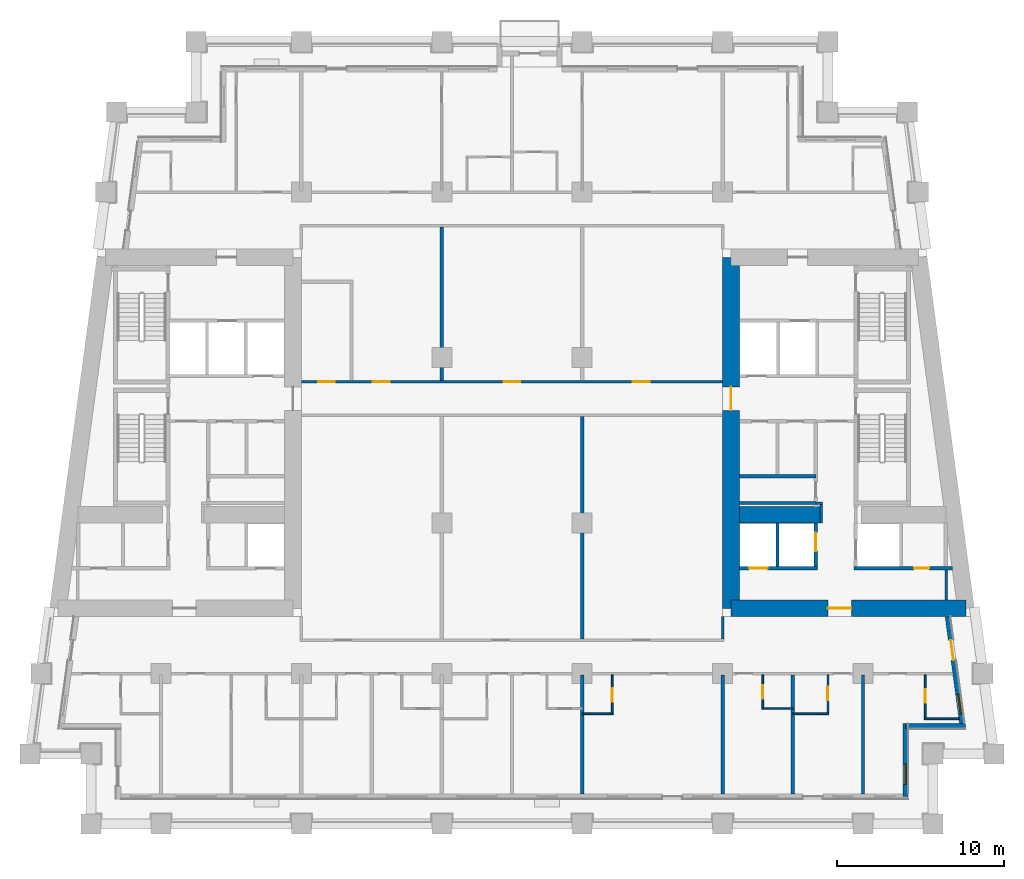
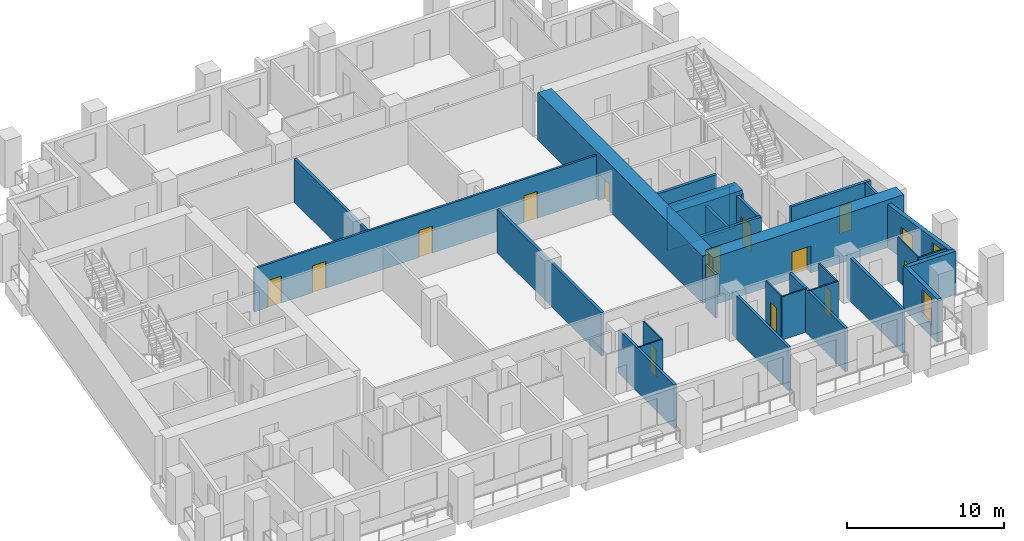
# One storey, part 5 of 13: 31 walls, 14 doors, 2 windows, 16 openings.
"""IFC4 building model written with IfcOpenShell, lengths in metres."""

from ifc_helpers import new_model, si_unit, direction, frame, frame_2d, origin, place, context, subcontext, project, spatial, rectangle, extrude, material, layer, layer_set, type_object, element, fill, save


model = new_model("IFC4")

# Units and contexts
model_context = context("Model", 3, precision=1e-05, world=origin(), true_north=direction((0.0, 1.0)))
body_context = subcontext(model_context, "Body", "Model", "MODEL_VIEW")
ifc_project = project(units=[si_unit("LENGTHUNIT", "METRE"), si_unit("AREAUNIT", "SQUARE_METRE"), si_unit("VOLUMEUNIT", "CUBIC_METRE"), si_unit("PLANEANGLEUNIT", "RADIAN"), si_unit("MASSUNIT", "GRAM", prefix="KILO")], contexts=[model_context])

# Site, building, storey
site_placement = place(None, origin())
site = spatial("IfcSite", under=ifc_project, at=site_placement, CompositionType="ELEMENT")
building_placement = place(site_placement, origin())
building = spatial("IfcBuilding", under=site, at=building_placement, Name="Candeia Pilgrim Tower and Theatre", CompositionType="ELEMENT")
storey_placement = place(building_placement, frame((0.0, 0.0, 94.699951171875)))
storey = spatial("IfcBuildingStorey", under=building, at=storey_placement, Name="L21", CompositionType="ELEMENT", Elevation=94.699951171875)

# Wall, opening, door
ifc_material_1 = material(Name="Concrete C70/85", Category="concrete")
ifc_layer_1 = layer(ifc_material_1, 1.0)
ifc_layer_set_1 = layer_set([ifc_layer_1], Name="Core wall 1000 C70/85")
wall_type_1 = type_object("IfcWallType", Name="Core wall 1000 C70/85", PredefinedType="SHEAR", material=ifc_layer_set_1)
wall_1_placement = place(storey_placement, frame((140.558837890625, 110.89990234375, 0.0), z_axis=(0.0, 0.0, 1.0), x_axis=(-1.0, 0.0, 0.0)))
wall_1 = element("IfcWall", 1, at=wall_1_placement, inside=storey, type_object=wall_type_1, Name="Core wall E3", PredefinedType="SHEAR", context=body_context, shape_type="SweptSolid", body=[
    extrude(rectangle(XDim=14.058837890625, YDim=1.0, at=frame_2d((7.029296875, 0.0))), origin(), (0.0, 0.0, 1.0), 3.699951171875),
])
opening_1_placement = place(wall_1_placement, frame((6.857666015625, 0.0, 0.0)))
opening_1 = element("IfcOpeningElement", 2, at=opening_1_placement, cuts=wall_1, Name="Opening L21-D060", PredefinedType="OPENING", context=body_context, shape_type="SweptSolid", body=[
    extrude(rectangle(XDim=1.39990234375, YDim=2.10009765625, at=frame_2d((0.699951171875, 1.050048828125))), frame((0.0, 0.510009765625, 0.0), z_axis=(0.0, -1.0, 0.0), x_axis=(1.0, 0.0, 0.0)), (0.0, 0.0, 1.0), 1.02001953125),
])
ifc_material_2 = material(Name="Steel fire door set", Category="steel")
door_type_1 = type_object("IfcDoorType", Name="D-1400-FD60", OperationType="NOTDEFINED", PredefinedType="DOOR", material=ifc_material_2)
door_1_placement = place(opening_1_placement, origin())
door_1 = element("IfcDoor", 3, at=door_1_placement, inside=storey, type_object=door_type_1, Name="Door L21-D060", OperationType="SINGLE_SWING_LEFT", OverallHeight=2.10009765625, OverallWidth=1.39990234375, PredefinedType="DOOR", context=body_context, shape_type="SweptSolid", body=[
    extrude(rectangle(XDim=1.39990234375, YDim=2.10009765625, at=frame_2d((0.699951171875, 1.050048828125))), frame((0.0, 0.02490234375, 0.0), z_axis=(0.0, -1.0, 0.0), x_axis=(1.0, 0.0, 0.0)), (0.0, 0.0, 1.0), 0.050048828125),
])
fill(opening_1, door_1)

wall_2_placement = place(storey_placement, frame((126.5, 110.89990234375, 0.0), z_axis=(0.0, 0.0, 1.0), x_axis=(0.0, 1.0, 0.0)))
wall_2 = element("IfcWall", 4, at=wall_2_placement, inside=storey, type_object=wall_type_1, Name="Core wall E4", PredefinedType="SHEAR", context=body_context, shape_type="SweptSolid", body=[
    extrude(rectangle(XDim=21.0, YDim=1.0, at=frame_2d((10.5, 0.0))), origin(), (0.0, 0.0, 1.0), 3.699951171875),
])
opening_2_placement = place(wall_2_placement, frame((11.85009765625, 0.0, 0.0)))
opening_2 = element("IfcOpeningElement", 5, at=opening_2_placement, cuts=wall_2, Name="Opening L21-D062", PredefinedType="OPENING", context=body_context, shape_type="SweptSolid", body=[
    extrude(rectangle(XDim=1.39990234375, YDim=2.10009765625, at=frame_2d((0.699951171875, 1.050048828125))), frame((0.0, 0.510009765625, 0.0), z_axis=(0.0, -1.0, 0.0), x_axis=(1.0, 0.0, 0.0)), (0.0, 0.0, 1.0), 1.02001953125),
])
door_2_placement = place(opening_2_placement, origin())
door_2 = element("IfcDoor", 6, at=door_2_placement, inside=storey, type_object=door_type_1, Name="Door L21-D062", OperationType="SINGLE_SWING_LEFT", OverallHeight=2.10009765625, OverallWidth=1.39990234375, PredefinedType="DOOR", context=body_context, shape_type="SweptSolid", body=[
    extrude(rectangle(XDim=1.39990234375, YDim=2.10009765625, at=frame_2d((0.699951171875, 1.050048828125))), frame((0.0, 0.02490234375, 0.0), z_axis=(0.0, -1.0, 0.0), x_axis=(1.0, 0.0, 0.0)), (0.0, 0.0, 1.0), 0.050048828125),
])
fill(opening_2, door_2)

# Wall
wall_3_placement = place(storey_placement, frame((127.0, 116.5, 0.0), z_axis=(0.0, 0.0, 1.0), x_axis=(1.0, 0.0, 0.0)))
element("IfcWall", 7, at=wall_3_placement, inside=storey, type_object=wall_type_1, Name="Core wall E5", PredefinedType="SHEAR", context=body_context, shape_type="SweptSolid", body=[
    extrude(rectangle(XDim=4.89990234375, YDim=1.0, at=frame_2d((2.449951171875, 0.0))), origin(), (0.0, 0.0, 1.0), 3.699951171875),
])

# Wall, opening, window
ifc_material_3 = material(Name="Ceramic block masonry", Category="masonry")
ifc_layer_2 = layer(ifc_material_3, 0.300048828125)
ifc_layer_set_2 = layer_set([ifc_layer_2], Name="EW1 glazing-line wall 300")
wall_type_2 = type_object("IfcWallType", Name="EW1 glazing-line wall 300", PredefinedType="SOLIDWALL", material=ifc_layer_set_2)
wall_4_placement = place(storey_placement, frame((136.949951171875, 99.64990234375, 0.0), z_axis=(0.0, 0.0, 1.0), x_axis=(0.0, 1.0, 0.0)))
wall_4 = element("IfcWall", 8, at=wall_4_placement, inside=storey, type_object=wall_type_2, Name="External wall L21-1.0", PredefinedType="SOLIDWALL", context=body_context, shape_type="SweptSolid", body=[
    extrude(rectangle(XDim=4.35009765625, YDim=0.300048828125, at=frame_2d((2.175048828125, 0.0))), origin(), (0.0, 0.0, 1.0), 3.380126953125),
])
opening_3_placement = place(wall_4_placement, frame((0.72509765625, 0.0, 0.89990234375)))
opening_3 = element("IfcOpeningElement", 9, at=opening_3_placement, cuts=wall_4, Name="Opening W-B", PredefinedType="OPENING", context=body_context, shape_type="SweptSolid", body=[
    extrude(rectangle(XDim=1.199951171875, YDim=2.10009765625, at=frame_2d((0.60009765625, 1.050048828125))), frame((0.0, 0.16015625, 0.0), z_axis=(0.0, -1.0, 0.0), x_axis=(1.0, 0.0, 0.0)), (0.0, 0.0, 1.0), 0.320068359375),
])
ifc_material_4 = material(Name="Aluminium framed double glazing", Category="aluminium")
window_type = type_object("IfcWindowType", Name="W-B window 1200x2100", PartitioningType="SINGLE_PANEL", PredefinedType="WINDOW", material=ifc_material_4)
window_1_placement = place(opening_3_placement, origin())
window_1 = element("IfcWindow", 10, at=window_1_placement, inside=storey, type_object=window_type, Name="Window W-B L21", OverallHeight=2.10009765625, OverallWidth=1.199951171875, PartitioningType="SINGLE_PANEL", PredefinedType="WINDOW", context=body_context, shape_type="SweptSolid", body=[
    extrude(rectangle(XDim=1.199951171875, YDim=2.10009765625, at=frame_2d((0.60009765625, 1.050048828125))), frame((0.0, 0.030029296875, 0.0), z_axis=(0.0, -1.0, 0.0), x_axis=(1.0, 0.0, 0.0)), (0.0, 0.0, 1.0), 0.06005859375),
])
fill(opening_3, window_1)

# Wall
wall_5_placement = place(storey_placement, frame((136.949951171875, 103.85009765625, 0.0), z_axis=(0.0, 0.0, 1.0), x_axis=(1.0, 0.0, 0.0)))
element("IfcWall", 11, at=wall_5_placement, inside=storey, type_object=wall_type_2, Name="External wall L21-2.0", PredefinedType="SOLIDWALL", context=body_context, shape_type="SweptSolid", body=[
    extrude(rectangle(XDim=3.569091796875, YDim=0.300048828125, at=frame_2d((1.78466796875, 0.0))), origin(), (0.0, 0.0, 1.0), 3.380126953125),
])

# Wall, openings, door, window
wall_6_placement = place(storey_placement, frame((140.34765625, 103.85009765625, 0.0), z_axis=(0.0, 0.0, 1.0), x_axis=(-0.133431549479, 0.991058031401, 0.0)))
wall_6 = element("IfcWall", 12, at=wall_6_placement, inside=storey, type_object=wall_type_2, Name="External wall L21-3.0", PredefinedType="SOLIDWALL", context=body_context, shape_type="SweptSolid", body=[
    extrude(rectangle(XDim=6.60888671875, YDim=0.300048828125, at=frame_2d((3.304443359375, 0.0))), origin(), (0.0, 0.0, 1.0), 3.380126953125),
])
opening_4_placement = place(wall_6_placement, frame((0.736572265625, 0.0, 0.89990234375)))
opening_4 = element("IfcOpeningElement", 13, at=opening_4_placement, cuts=wall_6, Name="Opening W-B", PredefinedType="OPENING", context=body_context, shape_type="SweptSolid", body=[
    extrude(rectangle(XDim=1.199951171875, YDim=2.10009765625, at=frame_2d((0.60009765625, 1.050048828125))), frame((0.0, 0.16015625, 0.0), z_axis=(0.0, -1.0, 0.0), x_axis=(1.0, 0.0, 0.0)), (0.0, 0.0, 1.0), 0.320068359375),
])
opening_5_placement = place(wall_6_placement, frame((3.990966796875, 0.0, 0.0)))
opening_5 = element("IfcOpeningElement", 14, at=opening_5_placement, cuts=wall_6, Name="Opening L21-ED217", PredefinedType="OPENING", context=body_context, shape_type="SweptSolid", body=[
    extrude(rectangle(XDim=1.199951171875, YDim=2.39990234375, at=frame_2d((0.60009765625, 1.199951171875))), frame((0.0, 0.16015625, 0.0), z_axis=(0.0, -1.0, 0.0), x_axis=(1.0, 0.0, 0.0)), (0.0, 0.0, 1.0), 0.320068359375),
])
ifc_material_5 = material(Name="Aluminium framed glazed door", Category="aluminium")
door_type_2 = type_object("IfcDoorType", Name="Loggia door 1200x2400", OperationType="DOUBLE_DOOR_SINGLE_SWING", PredefinedType="DOOR", material=ifc_material_5)
door_3_placement = place(opening_5_placement, origin())
door_3 = element("IfcDoor", 15, at=door_3_placement, inside=storey, type_object=door_type_2, Name="Loggia door L21-ED217", OperationType="DOUBLE_DOOR_SINGLE_SWING", OverallHeight=2.39990234375, OverallWidth=1.199951171875, PredefinedType="DOOR", context=body_context, shape_type="SweptSolid", body=[
    extrude(rectangle(XDim=1.199951171875, YDim=2.39990234375, at=frame_2d((0.60009765625, 1.199951171875))), frame((0.0, 0.02490234375, 0.0), z_axis=(0.0, -1.0, 0.0), x_axis=(1.0, 0.0, 0.0)), (0.0, 0.0, 1.0), 0.050048828125),
])
fill(opening_5, door_3)
window_2_placement = place(opening_4_placement, origin())
window_2 = element("IfcWindow", 16, at=window_2_placement, inside=storey, type_object=window_type, Name="Window W-B L21", OverallHeight=2.10009765625, OverallWidth=1.199951171875, PartitioningType="SINGLE_PANEL", PredefinedType="WINDOW", context=body_context, shape_type="SweptSolid", body=[
    extrude(rectangle(XDim=1.199951171875, YDim=2.10009765625, at=frame_2d((0.60009765625, 1.050048828125))), frame((0.0, 0.030029296875, 0.0), z_axis=(0.0, -1.0, 0.0), x_axis=(1.0, 0.0, 0.0)), (0.0, 0.0, 1.0), 0.06005859375),
])
fill(opening_4, window_2)

# Walls
ifc_material_6 = material(Name="Gypsum board partition on steel studs", Category="steel")
ifc_layer_3 = layer(ifc_material_6, 0.10009765625)
ifc_layer_set_3 = layer_set([ifc_layer_3], Name="PW-100 room partition")
wall_type_3 = type_object("IfcWallType", Name="PW-100 room partition", PredefinedType="PARTITIONING", material=ifc_layer_set_3)
wall_7_placement = place(storey_placement, frame((138.070068359375, 104.300048828125, 0.0), z_axis=(0.0, 0.0, 1.0), x_axis=(1.0, 0.0, 0.0)))
element("IfcWall", 17, at=wall_7_placement, inside=storey, type_object=wall_type_3, Name="Room partition L21-003", PredefinedType="PARTITIONING", context=body_context, shape_type="SweptSolid", body=[
    extrude(rectangle(XDim=2.07568359375, YDim=0.10009765625, at=frame_2d((1.037841796875, 0.0))), origin(), (0.0, 0.0, 1.0), 3.380126953125),
])
wall_8_placement = place(storey_placement, frame((117.60009765625, 104.60009765625, 0.0), z_axis=(0.0, 0.0, 1.0), x_axis=(1.0, 0.0, 0.0)))
element("IfcWall", 18, at=wall_8_placement, inside=storey, type_object=wall_type_3, Name="Room partition L21-005", PredefinedType="PARTITIONING", context=body_context, shape_type="SweptSolid", body=[
    extrude(rectangle(XDim=1.849853515625, YDim=0.10009765625, at=frame_2d((0.9248046875, 0.0))), origin(), (0.0, 0.0, 1.0), 3.380126953125),
])
wall_9_placement = place(storey_placement, frame((130.199951171875, 104.60009765625, 0.0), z_axis=(0.0, 0.0, 1.0), x_axis=(1.0, 0.0, 0.0)))
element("IfcWall", 19, at=wall_9_placement, inside=storey, type_object=wall_type_3, Name="Room partition L21-006", PredefinedType="PARTITIONING", context=body_context, shape_type="SweptSolid", body=[
    extrude(rectangle(XDim=2.150146484375, YDim=0.10009765625, at=frame_2d((1.0751953125, 0.0))), origin(), (0.0, 0.0, 1.0), 3.380126953125),
])
wall_10_placement = place(storey_placement, frame((128.35009765625, 104.89990234375, 0.0), z_axis=(0.0, 0.0, 1.0), x_axis=(1.0, 0.0, 0.0)))
element("IfcWall", 20, at=wall_10_placement, inside=storey, type_object=wall_type_3, Name="Room partition L21-009", PredefinedType="PARTITIONING", context=body_context, shape_type="SweptSolid", body=[
    extrude(rectangle(XDim=1.849853515625, YDim=0.10009765625, at=frame_2d((0.9248046875, 0.0))), origin(), (0.0, 0.0, 1.0), 3.380126953125),
])

# Wall, opening, door
wall_11_placement = place(storey_placement, frame((119.39990234375, 104.64990234375, 0.0), z_axis=(0.0, 0.0, 1.0), x_axis=(0.0, 1.0, 0.0)))
wall_11 = element("IfcWall", 21, at=wall_11_placement, inside=storey, type_object=wall_type_3, Name="Room partition L21-094", PredefinedType="PARTITIONING", context=body_context, shape_type="SweptSolid", body=[
    extrude(rectangle(XDim=2.275146484375, YDim=0.10009765625, at=frame_2d((1.1376953125, 0.0))), origin(), (0.0, 0.0, 1.0), 3.380126953125),
])
opening_6_placement = place(wall_11_placement, frame((0.659912109375, 0.0, 0.0)))
opening_6 = element("IfcOpeningElement", 22, at=opening_6_placement, cuts=wall_11, Name="Opening L21-D031", PredefinedType="OPENING", context=body_context, shape_type="SweptSolid", body=[
    extrude(rectangle(XDim=0.800048828125, YDim=2.10009765625, at=frame_2d((0.39990234375, 1.050048828125))), frame((0.0, 0.06005859375, 0.0), z_axis=(0.0, -1.0, 0.0), x_axis=(1.0, 0.0, 0.0)), (0.0, 0.0, 1.0), 0.1201171875),
])
ifc_material_7 = material(Name="Timber door leaf", Category="wood")
door_type_3 = type_object("IfcDoorType", Name="D-800", OperationType="NOTDEFINED", PredefinedType="DOOR", material=ifc_material_7)
door_4_placement = place(opening_6_placement, origin())
door_4 = element("IfcDoor", 23, at=door_4_placement, inside=storey, type_object=door_type_3, Name="Door L21-D031", OperationType="SINGLE_SWING_RIGHT", OverallHeight=2.10009765625, OverallWidth=0.800048828125, PredefinedType="DOOR", context=body_context, shape_type="SweptSolid", body=[
    extrude(rectangle(XDim=0.800048828125, YDim=2.10009765625, at=frame_2d((0.39990234375, 1.050048828125))), frame((0.0, 0.02490234375, 0.0), z_axis=(0.0, -1.0, 0.0), x_axis=(1.0, 0.0, 0.0)), (0.0, 0.0, 1.0), 0.050048828125),
])
fill(opening_6, door_4)

wall_12_placement = place(storey_placement, frame((128.39990234375, 104.949951171875, 0.0), z_axis=(0.0, 0.0, 1.0), x_axis=(0.0, 1.0, 0.0)))
wall_12 = element("IfcWall", 24, at=wall_12_placement, inside=storey, type_object=wall_type_3, Name="Room partition L21-099", PredefinedType="PARTITIONING", context=body_context, shape_type="SweptSolid", body=[
    extrude(rectangle(XDim=1.97509765625, YDim=0.10009765625, at=frame_2d((0.987548828125, 0.0))), origin(), (0.0, 0.0, 1.0), 3.380126953125),
])
opening_7_placement = place(wall_12_placement, frame((0.5400390625, 0.0, 0.0)))
opening_7 = element("IfcOpeningElement", 25, at=opening_7_placement, cuts=wall_12, Name="Opening L21-D033", PredefinedType="OPENING", context=body_context, shape_type="SweptSolid", body=[
    extrude(rectangle(XDim=0.800048828125, YDim=2.10009765625, at=frame_2d((0.39990234375, 1.050048828125))), frame((0.0, 0.06005859375, 0.0), z_axis=(0.0, -1.0, 0.0), x_axis=(1.0, 0.0, 0.0)), (0.0, 0.0, 1.0), 0.1201171875),
])
door_5_placement = place(opening_7_placement, origin())
door_5 = element("IfcDoor", 26, at=door_5_placement, inside=storey, type_object=door_type_3, Name="Door L21-D033", OperationType="SINGLE_SWING_RIGHT", OverallHeight=2.10009765625, OverallWidth=0.800048828125, PredefinedType="DOOR", context=body_context, shape_type="SweptSolid", body=[
    extrude(rectangle(XDim=0.800048828125, YDim=2.10009765625, at=frame_2d((0.39990234375, 1.050048828125))), frame((0.0, 0.02490234375, 0.0), z_axis=(0.0, -1.0, 0.0), x_axis=(1.0, 0.0, 0.0)), (0.0, 0.0, 1.0), 0.050048828125),
])
fill(opening_7, door_5)

wall_13_placement = place(storey_placement, frame((132.300048828125, 104.64990234375, 0.0), z_axis=(0.0, 0.0, 1.0), x_axis=(0.0, 1.0, 0.0)))
wall_13 = element("IfcWall", 27, at=wall_13_placement, inside=storey, type_object=wall_type_3, Name="Room partition L21-109", PredefinedType="PARTITIONING", context=body_context, shape_type="SweptSolid", body=[
    extrude(rectangle(XDim=2.275146484375, YDim=0.10009765625, at=frame_2d((1.1376953125, 0.0))), origin(), (0.0, 0.0, 1.0), 3.380126953125),
])
opening_8_placement = place(wall_13_placement, frame((0.75, 0.0, 0.0)))
opening_8 = element("IfcOpeningElement", 28, at=opening_8_placement, cuts=wall_13, Name="Opening L21-D035", PredefinedType="OPENING", context=body_context, shape_type="SweptSolid", body=[
    extrude(rectangle(XDim=0.800048828125, YDim=2.10009765625, at=frame_2d((0.39990234375, 1.050048828125))), frame((0.0, 0.06005859375, 0.0), z_axis=(0.0, -1.0, 0.0), x_axis=(1.0, 0.0, 0.0)), (0.0, 0.0, 1.0), 0.1201171875),
])
door_6_placement = place(opening_8_placement, origin())
door_6 = element("IfcDoor", 29, at=door_6_placement, inside=storey, type_object=door_type_3, Name="Door L21-D035", OperationType="SINGLE_SWING_RIGHT", OverallHeight=2.10009765625, OverallWidth=0.800048828125, PredefinedType="DOOR", context=body_context, shape_type="SweptSolid", body=[
    extrude(rectangle(XDim=0.800048828125, YDim=2.10009765625, at=frame_2d((0.39990234375, 1.050048828125))), frame((0.0, 0.02490234375, 0.0), z_axis=(0.0, -1.0, 0.0), x_axis=(1.0, 0.0, 0.0)), (0.0, 0.0, 1.0), 0.050048828125),
])
fill(opening_8, door_6)

wall_14_placement = place(storey_placement, frame((138.1201171875, 104.35009765625, 0.0), z_axis=(0.0, 0.0, 1.0), x_axis=(0.0, 1.0, 0.0)))
wall_14 = element("IfcWall", 30, at=wall_14_placement, inside=storey, type_object=wall_type_3, Name="Room partition L21-120", PredefinedType="PARTITIONING", context=body_context, shape_type="SweptSolid", body=[
    extrude(rectangle(XDim=2.574951171875, YDim=0.10009765625, at=frame_2d((1.28759765625, 0.0))), origin(), (0.0, 0.0, 1.0), 3.380126953125),
])
opening_9_placement = place(wall_14_placement, frame((0.89990234375, 0.0, 0.0)))
opening_9 = element("IfcOpeningElement", 31, at=opening_9_placement, cuts=wall_14, Name="Opening L21-D037", PredefinedType="OPENING", context=body_context, shape_type="SweptSolid", body=[
    extrude(rectangle(XDim=0.800048828125, YDim=2.10009765625, at=frame_2d((0.39990234375, 1.050048828125))), frame((0.0, 0.06005859375, 0.0), z_axis=(0.0, -1.0, 0.0), x_axis=(1.0, 0.0, 0.0)), (0.0, 0.0, 1.0), 0.1201171875),
])
door_7_placement = place(opening_9_placement, origin())
door_7 = element("IfcDoor", 32, at=door_7_placement, inside=storey, type_object=door_type_3, Name="Door L21-D037", OperationType="SINGLE_SWING_RIGHT", OverallHeight=2.10009765625, OverallWidth=0.800048828125, PredefinedType="DOOR", context=body_context, shape_type="SweptSolid", body=[
    extrude(rectangle(XDim=0.800048828125, YDim=2.10009765625, at=frame_2d((0.39990234375, 1.050048828125))), frame((0.0, 0.02490234375, 0.0), z_axis=(0.0, -1.0, 0.0), x_axis=(1.0, 0.0, 0.0)), (0.0, 0.0, 1.0), 0.050048828125),
])
fill(opening_9, door_7)

# Walls
ifc_layer_4 = layer(ifc_material_6, 0.14990234375)
ifc_layer_set_4 = layer_set([ifc_layer_4], Name="PW-150 lobby wall")
wall_type_4 = type_object("IfcWallType", Name="PW-150 lobby wall", PredefinedType="PARTITIONING", material=ifc_layer_set_4)
wall_15_placement = place(storey_placement, frame((131.572998046875, 117.199951171875, 0.0), z_axis=(0.0, 0.0, 1.0), x_axis=(1.0, 0.0, 0.0)))
element("IfcWall", 33, at=wall_15_placement, inside=storey, type_object=wall_type_4, Name="Lobby wall L21-019", PredefinedType="PARTITIONING", context=body_context, shape_type="SweptSolid", body=[
    extrude(rectangle(XDim=0.402099609375, YDim=0.14990234375, at=frame_2d((0.201171875, 0.0))), origin(), (0.0, 0.0, 1.0), 3.380126953125),
])
wall_16_placement = place(storey_placement, frame((131.89990234375, 116.0, 0.0), z_axis=(0.0, 0.0, 1.0), x_axis=(0.0, 1.0, 0.0)))
element("IfcWall", 34, at=wall_16_placement, inside=storey, type_object=wall_type_4, Name="Lobby wall L21-108", PredefinedType="PARTITIONING", context=body_context, shape_type="SweptSolid", body=[
    extrude(rectangle(XDim=1.125, YDim=0.14990234375, at=frame_2d((0.5625, 0.0))), origin(), (0.0, 0.0, 1.0), 3.380126953125),
])
wall_17_placement = place(storey_placement, frame((139.37109375, 111.39990234375, 0.0), z_axis=(0.0, 0.0, 1.0), x_axis=(0.0, 1.0, 0.0)))
element("IfcWall", 35, at=wall_17_placement, inside=storey, type_object=wall_type_4, Name="Lobby wall L21-122", PredefinedType="PARTITIONING", context=body_context, shape_type="SweptSolid", body=[
    extrude(rectangle(XDim=1.800048828125, YDim=0.14990234375, at=frame_2d((0.89990234375, 0.0))), origin(), (0.0, 0.0, 1.0), 3.380126953125),
])

# Wall, openings, doors
ifc_layer_5 = layer(ifc_material_6, 0.14990234375)
ifc_layer_set_5 = layer_set([ifc_layer_5], Name="PW-150 unit wall")
wall_type_5 = type_object("IfcWallType", Name="PW-150 unit wall", PredefinedType="PARTITIONING", material=ifc_layer_set_5)
wall_18_placement = place(storey_placement, frame((100.800048828125, 124.449951171875, 0.0), z_axis=(0.0, 0.0, 1.0), x_axis=(1.0, 0.0, 0.0)))
wall_18 = element("IfcWall", 36, at=wall_18_placement, inside=storey, type_object=wall_type_5, Name="Unit wall L21-033", PredefinedType="PARTITIONING", context=body_context, shape_type="SweptSolid", body=[
    extrude(rectangle(XDim=25.199951171875, YDim=0.14990234375, at=frame_2d((12.60009765625, 0.0))), origin(), (0.0, 0.0, 1.0), 3.380126953125),
])
opening_10_placement = place(wall_18_placement, frame((4.27490234375, 0.0, 0.0)))
opening_10 = element("IfcOpeningElement", 37, at=opening_10_placement, cuts=wall_18, Name="Opening L21-D050", PredefinedType="OPENING", context=body_context, shape_type="SweptSolid", body=[
    extrude(rectangle(XDim=1.0, YDim=2.10009765625, at=frame_2d((0.5, 1.050048828125))), frame((0.0, 0.0849609375, 0.0), z_axis=(0.0, -1.0, 0.0), x_axis=(1.0, 0.0, 0.0)), (0.0, 0.0, 1.0), 0.169921875),
])
opening_11_placement = place(wall_18_placement, frame((1.0, 0.0, 0.0)))
opening_11 = element("IfcOpeningElement", 38, at=opening_11_placement, cuts=wall_18, Name="Opening L21-D054", PredefinedType="OPENING", context=body_context, shape_type="SweptSolid", body=[
    extrude(rectangle(XDim=1.0, YDim=2.10009765625, at=frame_2d((0.5, 1.050048828125))), frame((0.0, 0.0849609375, 0.0), z_axis=(0.0, -1.0, 0.0), x_axis=(1.0, 0.0, 0.0)), (0.0, 0.0, 1.0), 0.169921875),
])
opening_12_placement = place(wall_18_placement, frame((12.10009765625, 0.0, 0.0)))
opening_12 = element("IfcOpeningElement", 39, at=opening_12_placement, cuts=wall_18, Name="Opening L21-D055", PredefinedType="OPENING", context=body_context, shape_type="SweptSolid", body=[
    extrude(rectangle(XDim=1.0, YDim=2.10009765625, at=frame_2d((0.5, 1.050048828125))), frame((0.0, 0.0849609375, 0.0), z_axis=(0.0, -1.0, 0.0), x_axis=(1.0, 0.0, 0.0)), (0.0, 0.0, 1.0), 0.169921875),
])
opening_13_placement = place(wall_18_placement, frame((19.830078125, 0.0, 0.0)))
opening_13 = element("IfcOpeningElement", 40, at=opening_13_placement, cuts=wall_18, Name="Opening L21-D056", PredefinedType="OPENING", context=body_context, shape_type="SweptSolid", body=[
    extrude(rectangle(XDim=1.0, YDim=2.10009765625, at=frame_2d((0.5, 1.050048828125))), frame((0.0, 0.0849609375, 0.0), z_axis=(0.0, -1.0, 0.0), x_axis=(1.0, 0.0, 0.0)), (0.0, 0.0, 1.0), 0.169921875),
])
door_type_4 = type_object("IfcDoorType", Name="D-1000-FD30S", OperationType="NOTDEFINED", PredefinedType="DOOR", material=ifc_material_2)
door_8_placement = place(opening_10_placement, origin())
door_8 = element("IfcDoor", 41, at=door_8_placement, inside=storey, type_object=door_type_4, Name="Door L21-D050", OperationType="SINGLE_SWING_LEFT", OverallHeight=2.10009765625, OverallWidth=1.0, PredefinedType="DOOR", context=body_context, shape_type="SweptSolid", body=[
    extrude(rectangle(XDim=1.0, YDim=2.10009765625, at=frame_2d((0.5, 1.050048828125))), frame((0.0, 0.02490234375, 0.0), z_axis=(0.0, -1.0, 0.0), x_axis=(1.0, 0.0, 0.0)), (0.0, 0.0, 1.0), 0.050048828125),
])
fill(opening_10, door_8)
door_9_placement = place(opening_11_placement, origin())
door_9 = element("IfcDoor", 42, at=door_9_placement, inside=storey, type_object=door_type_4, Name="Door L21-D054", OperationType="SINGLE_SWING_LEFT", OverallHeight=2.10009765625, OverallWidth=1.0, PredefinedType="DOOR", context=body_context, shape_type="SweptSolid", body=[
    extrude(rectangle(XDim=1.0, YDim=2.10009765625, at=frame_2d((0.5, 1.050048828125))), frame((0.0, 0.02490234375, 0.0), z_axis=(0.0, -1.0, 0.0), x_axis=(1.0, 0.0, 0.0)), (0.0, 0.0, 1.0), 0.050048828125),
])
fill(opening_11, door_9)
door_10_placement = place(opening_12_placement, origin())
door_10 = element("IfcDoor", 43, at=door_10_placement, inside=storey, type_object=door_type_4, Name="Door L21-D055", OperationType="SINGLE_SWING_RIGHT", OverallHeight=2.10009765625, OverallWidth=1.0, PredefinedType="DOOR", context=body_context, shape_type="SweptSolid", body=[
    extrude(rectangle(XDim=1.0, YDim=2.10009765625, at=frame_2d((0.5, 1.050048828125))), frame((0.0, 0.02490234375, 0.0), z_axis=(0.0, -1.0, 0.0), x_axis=(1.0, 0.0, 0.0)), (0.0, 0.0, 1.0), 0.050048828125),
])
fill(opening_12, door_10)
door_11_placement = place(opening_13_placement, origin())
door_11 = element("IfcDoor", 44, at=door_11_placement, inside=storey, type_object=door_type_4, Name="Door L21-D056", OperationType="SINGLE_SWING_LEFT", OverallHeight=2.10009765625, OverallWidth=1.0, PredefinedType="DOOR", context=body_context, shape_type="SweptSolid", body=[
    extrude(rectangle(XDim=1.0, YDim=2.10009765625, at=frame_2d((0.5, 1.050048828125))), frame((0.0, 0.02490234375, 0.0), z_axis=(0.0, -1.0, 0.0), x_axis=(1.0, 0.0, 0.0)), (0.0, 0.0, 1.0), 0.050048828125),
])
fill(opening_13, door_11)

# Walls
wall_19_placement = place(storey_placement, frame((126.0, 109.074951171875, 0.0), z_axis=(0.0, 0.0, 1.0), x_axis=(0.0, 1.0, 0.0)))
element("IfcWall", 45, at=wall_19_placement, inside=storey, type_object=wall_type_5, Name="Unit wall L21-097", PredefinedType="PARTITIONING", context=body_context, shape_type="SweptSolid", body=[
    extrude(rectangle(XDim=1.324951171875, YDim=0.14990234375, at=frame_2d((0.66259765625, 0.0))), origin(), (0.0, 0.0, 1.0), 3.380126953125),
])
ifc_layer_6 = layer(ifc_material_6, 0.199951171875)
ifc_layer_set_6 = layer_set([ifc_layer_6], Name="PW-200 party wall")
wall_type_6 = type_object("IfcWallType", Name="PW-200 party wall", PredefinedType="PARTITIONING", material=ifc_layer_set_6)
wall_20_placement = place(storey_placement, frame((109.199951171875, 124.52490234375, 0.0), z_axis=(0.0, 0.0, 1.0), x_axis=(0.0, 1.0, 0.0)))
element("IfcWall", 46, at=wall_20_placement, inside=storey, type_object=wall_type_6, Name="Party wall L21-083", PredefinedType="PARTITIONING", context=body_context, shape_type="SweptSolid", body=[
    extrude(rectangle(XDim=9.2001953125, YDim=0.199951171875, at=frame_2d((4.60009765625, 0.0))), origin(), (0.0, 0.0, 1.0), 3.380126953125),
])
wall_21_placement = place(storey_placement, frame((117.60009765625, 99.7900390625, 0.0), z_axis=(0.0, 0.0, 1.0), x_axis=(0.0, 1.0, 0.0)))
element("IfcWall", 47, at=wall_21_placement, inside=storey, type_object=wall_type_6, Name="Party wall L21-091", PredefinedType="PARTITIONING", context=body_context, shape_type="SweptSolid", body=[
    extrude(rectangle(XDim=7.135009765625, YDim=0.199951171875, at=frame_2d((3.5673828125, 0.0))), origin(), (0.0, 0.0, 1.0), 3.380126953125),
])
wall_22_placement = place(storey_placement, frame((117.60009765625, 109.074951171875, 0.0), z_axis=(0.0, 0.0, 1.0), x_axis=(0.0, 1.0, 0.0)))
element("IfcWall", 48, at=wall_22_placement, inside=storey, type_object=wall_type_6, Name="Party wall L21-092", PredefinedType="PARTITIONING", context=body_context, shape_type="SweptSolid", body=[
    extrude(rectangle(XDim=13.300048828125, YDim=0.199951171875, at=frame_2d((6.64990234375, 0.0))), origin(), (0.0, 0.0, 1.0), 3.380126953125),
])
for number, where, z_axis, x_axis, name in (
    (49, (126.0, 99.7900390625, 0.0), (0.0, 0.0, 1.0), (0.0, 1.0, 0.0), "Party wall L21-095"),
    (50, (130.199951171875, 99.7900390625, 0.0), (0.0, 0.0, 1.0), (0.0, 1.0, 0.0), "Party wall L21-104"),
    (51, (134.39990234375, 99.7900390625, 0.0), (0.0, 0.0, 1.0), (0.0, 1.0, 0.0), "Party wall L21-116"),
):
    element("IfcWall", number, at=place(storey_placement, frame(where, z_axis=z_axis, x_axis=x_axis)), inside=storey, type_object=wall_type_6, Name=name, PredefinedType="PARTITIONING", context=body_context, shape_type="SweptSolid", body=[
        extrude(rectangle(XDim=7.135009765625, YDim=0.199951171875, at=frame_2d((3.5673828125, 0.0))), origin(), (0.0, 0.0, 1.0), 3.380126953125),
    ])

# Wall, opening, door
ifc_material_8 = material(Name="Concrete C40/50", Category="concrete")
ifc_layer_7 = layer(ifc_material_8, 0.199951171875)
ifc_layer_set_7 = layer_set([ifc_layer_7], Name="SW-200 shaft wall")
wall_type_7 = type_object("IfcWallType", Name="SW-200 shaft wall", PredefinedType="PARTITIONING", material=ifc_layer_set_7)
wall_23_placement = place(storey_placement, frame((127.0, 113.300048828125, 0.0), z_axis=(0.0, 0.0, 1.0), x_axis=(1.0, 0.0, 0.0)))
wall_23 = element("IfcWall", 52, at=wall_23_placement, inside=storey, type_object=wall_type_7, Name="Shaft wall L21-014", PredefinedType="PARTITIONING", context=body_context, shape_type="SweptSolid", body=[
    extrude(rectangle(XDim=4.673095703125, YDim=0.199951171875, at=frame_2d((2.33642578125, 0.0))), origin(), (0.0, 0.0, 1.0), 3.380126953125),
])
opening_14_placement = place(wall_23_placement, frame((0.593017578125, 0.0, 0.0)))
opening_14 = element("IfcOpeningElement", 53, at=opening_14_placement, cuts=wall_23, Name="Opening L21-LD08", PredefinedType="OPENING", context=body_context, shape_type="SweptSolid", body=[
    extrude(rectangle(XDim=1.10009765625, YDim=2.10009765625, at=frame_2d((0.550048828125, 1.050048828125))), frame((0.0, 0.10986328125, 0.0), z_axis=(0.0, -1.0, 0.0), x_axis=(1.0, 0.0, 0.0)), (0.0, 0.0, 1.0), 0.219970703125),
])
ifc_material_9 = material(Name="Glazed aluminium landing door", Category="aluminium")
door_type_5 = type_object("IfcDoorType", Name="LD-1100-EI120", OperationType="SLIDING_TO_LEFT", PredefinedType="DOOR", material=ifc_material_9)
door_12_placement = place(opening_14_placement, origin())
door_12 = element("IfcDoor", 54, at=door_12_placement, inside=storey, type_object=door_type_5, Name="Landing door 08 L21", OperationType="SLIDING_TO_LEFT", OverallHeight=2.10009765625, OverallWidth=1.10009765625, PredefinedType="DOOR", context=body_context, shape_type="SweptSolid", body=[
    extrude(rectangle(XDim=1.10009765625, YDim=2.10009765625, at=frame_2d((0.550048828125, 1.050048828125))), frame((0.0, 0.02490234375, 0.0), z_axis=(0.0, -1.0, 0.0), x_axis=(1.0, 0.0, 0.0)), (0.0, 0.0, 1.0), 0.050048828125),
])
fill(opening_14, door_12)

wall_24_placement = place(storey_placement, frame((133.873046875, 113.300048828125, 0.0), z_axis=(0.0, 0.0, 1.0), x_axis=(1.0, 0.0, 0.0)))
wall_24 = element("IfcWall", 55, at=wall_24_placement, inside=storey, type_object=wall_type_7, Name="Shaft wall L21-015", PredefinedType="PARTITIONING", context=body_context, shape_type="SweptSolid", body=[
    extrude(rectangle(XDim=5.888427734375, YDim=0.199951171875, at=frame_2d((2.9443359375, 0.0))), origin(), (0.0, 0.0, 1.0), 3.380126953125),
])
opening_15_placement = place(wall_24_placement, frame((3.589111328125, 0.0, 0.0)))
opening_15 = element("IfcOpeningElement", 56, at=opening_15_placement, cuts=wall_24, Name="Opening L21-D016", PredefinedType="OPENING", context=body_context, shape_type="SweptSolid", body=[
    extrude(rectangle(XDim=0.89990234375, YDim=2.10009765625, at=frame_2d((0.449951171875, 1.050048828125))), frame((0.0, 0.10986328125, 0.0), z_axis=(0.0, -1.0, 0.0), x_axis=(1.0, 0.0, 0.0)), (0.0, 0.0, 1.0), 0.219970703125),
])
door_type_6 = type_object("IfcDoorType", Name="D-900-FD60", OperationType="NOTDEFINED", PredefinedType="DOOR", material=ifc_material_2)
door_13_placement = place(opening_15_placement, origin())
door_13 = element("IfcDoor", 57, at=door_13_placement, inside=storey, type_object=door_type_6, Name="Door L21-D016", OperationType="SINGLE_SWING_LEFT", OverallHeight=2.10009765625, OverallWidth=0.89990234375, PredefinedType="DOOR", context=body_context, shape_type="SweptSolid", body=[
    extrude(rectangle(XDim=0.89990234375, YDim=2.10009765625, at=frame_2d((0.449951171875, 1.050048828125))), frame((0.0, 0.02490234375, 0.0), z_axis=(0.0, -1.0, 0.0), x_axis=(1.0, 0.0, 0.0)), (0.0, 0.0, 1.0), 0.050048828125),
])
fill(opening_15, door_13)

# Walls
for number, where, z_axis, x_axis, name in (
    (58, (127.0, 117.199951171875, 0.0), (0.0, 0.0, 1.0), (1.0, 0.0, 0.0), "Shaft wall L21-017"),
    (59, (127.0, 118.800048828125, 0.0), (0.0, 0.0, 1.0), (1.0, 0.0, 0.0), "Shaft wall L21-023"),
):
    element("IfcWall", number, at=place(storey_placement, frame(where, z_axis=z_axis, x_axis=x_axis)), inside=storey, type_object=wall_type_7, Name=name, PredefinedType="PARTITIONING", context=body_context, shape_type="SweptSolid", body=[
        extrude(rectangle(XDim=4.572998046875, YDim=0.199951171875, at=frame_2d((2.28662109375, 0.0))), origin(), (0.0, 0.0, 1.0), 3.380126953125),
    ])
wall_25_placement = place(storey_placement, frame((129.28662109375, 113.39990234375, 0.0), z_axis=(0.0, 0.0, 1.0), x_axis=(0.0, 1.0, 0.0)))
element("IfcWall", 60, at=wall_25_placement, inside=storey, type_object=wall_type_7, Name="Shaft wall L21-100", PredefinedType="PARTITIONING", context=body_context, shape_type="SweptSolid", body=[
    extrude(rectangle(XDim=2.60009765625, YDim=0.199951171875, at=frame_2d((1.300048828125, 0.0))), origin(), (0.0, 0.0, 1.0), 3.380126953125),
])

# Wall, opening, door
wall_26_placement = place(storey_placement, frame((131.572998046875, 113.39990234375, 0.0), z_axis=(0.0, 0.0, 1.0), x_axis=(0.0, 1.0, 0.0)))
wall_26 = element("IfcWall", 61, at=wall_26_placement, inside=storey, type_object=wall_type_7, Name="Shaft wall L21-105", PredefinedType="PARTITIONING", context=body_context, shape_type="SweptSolid", body=[
    extrude(rectangle(XDim=2.60009765625, YDim=0.199951171875, at=frame_2d((1.300048828125, 0.0))), origin(), (0.0, 0.0, 1.0), 3.380126953125),
])
opening_16_placement = place(wall_26_placement, frame((0.925048828125, 0.0, 0.0)))
opening_16 = element("IfcOpeningElement", 62, at=opening_16_placement, cuts=wall_26, Name="Opening L21-LD07", PredefinedType="OPENING", context=body_context, shape_type="SweptSolid", body=[
    extrude(rectangle(XDim=1.10009765625, YDim=2.10009765625, at=frame_2d((0.550048828125, 1.050048828125))), frame((0.0, 0.10986328125, 0.0), z_axis=(0.0, -1.0, 0.0), x_axis=(1.0, 0.0, 0.0)), (0.0, 0.0, 1.0), 0.219970703125),
])
door_14_placement = place(opening_16_placement, origin())
door_14 = element("IfcDoor", 63, at=door_14_placement, inside=storey, type_object=door_type_5, Name="Landing door 07 L21", OperationType="SLIDING_TO_LEFT", OverallHeight=2.10009765625, OverallWidth=1.10009765625, PredefinedType="DOOR", context=body_context, shape_type="SweptSolid", body=[
    extrude(rectangle(XDim=1.10009765625, YDim=2.10009765625, at=frame_2d((0.550048828125, 1.050048828125))), frame((0.0, 0.02490234375, 0.0), z_axis=(0.0, -1.0, 0.0), x_axis=(1.0, 0.0, 0.0)), (0.0, 0.0, 1.0), 0.050048828125),
])
fill(opening_16, door_14)

save(model, "model.ifc")
